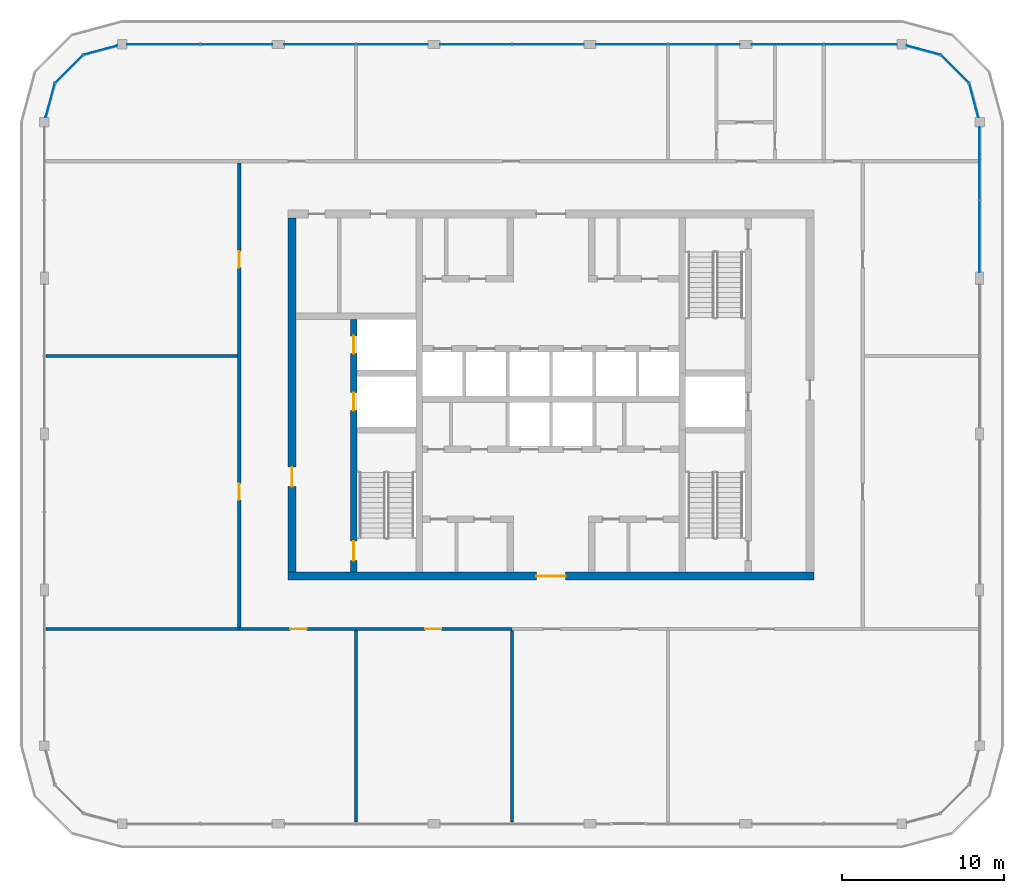
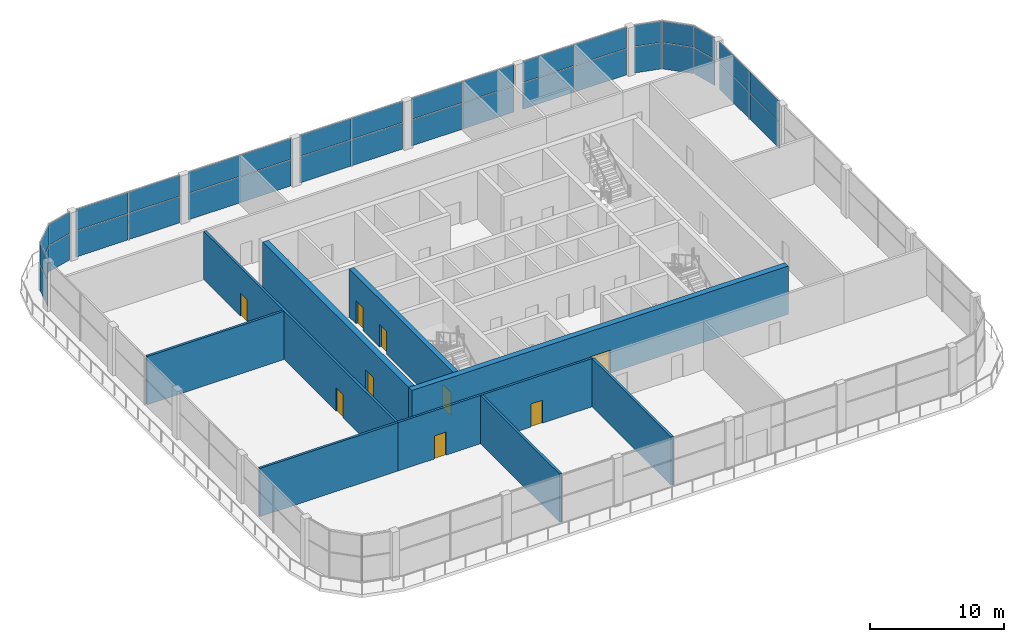
# One storey, part 9 of 15: 36 plates, 9 doors, 9 walls, 9 openings, 8 elements without a shape of their own.
"""IFC4 building model written with IfcOpenShell, lengths in metres."""

from ifc_helpers import new_model, si_unit, direction, frame, frame_2d, origin, origin_2d, place, context, subcontext, project, spatial, rectangle, extrude, material, layer, layer_set, type_object, element, fill, aggregate, save


model = new_model("IFC4")

# Units and contexts
model_context = context("Model", 3, precision=1e-05, world=origin(), true_north=direction((0.0, 1.0)))
body_context = subcontext(model_context, "Body", "Model", "MODEL_VIEW")
ifc_project = project(units=[si_unit("LENGTHUNIT", "METRE"), si_unit("AREAUNIT", "SQUARE_METRE"), si_unit("VOLUMEUNIT", "CUBIC_METRE"), si_unit("PLANEANGLEUNIT", "RADIAN"), si_unit("MASSUNIT", "GRAM", prefix="KILO")], contexts=[model_context])

# Site, building, storey
site_placement = place(None, origin())
site = spatial("IfcSite", under=ifc_project, at=site_placement, CompositionType="ELEMENT")
building_placement = place(site_placement, origin())
building = spatial("IfcBuilding", under=site, at=building_placement, Name="Madar Terraces", CompositionType="ELEMENT")
storey_placement = place(building_placement, frame((0.0, 0.0, 291.5)))
storey = spatial("IfcBuildingStorey", under=building, at=storey_placement, Name="L76", CompositionType="ELEMENT", Elevation=291.5)

# Curtain wall, plates
ifc_material_1 = material(Name="Glass, clear low-iron, with black aluminium frame", Category="aluminium")
ifc_layer_1 = layer(ifc_material_1, 0.199951171875)
ifc_layer_set_1 = layer_set([ifc_layer_1], Name="Facade curtain wall, observation glazing")
curtain_wall_type = type_object("IfcCurtainWallType", Name="Facade curtain wall, observation glazing", PredefinedType="NOTDEFINED", material=ifc_layer_set_1)
curtain_wall_1_placement = place(storey_placement, origin())
curtain_wall_1 = element("IfcCurtainWall", 1, at=curtain_wall_1_placement, inside=storey, type_object=curtain_wall_type, Name="Outer skin curtain wall east bay 4", PredefinedType="NOTDEFINED")
ifc_material_2 = material(Name="Glass, ceramic frit dark grey", Category="glass")
ifc_layer_2 = layer(ifc_material_2, 0.028076171875)
ifc_layer_set_2 = layer_set([ifc_layer_2], Name="Facade glass panel 28")
plate_type = type_object("IfcPlateType", Name="Facade glass panel 28", PredefinedType="CURTAIN_PANEL", material=ifc_layer_set_2)
plate_1_placement = place(storey_placement, frame((57.60009765625, 36.172607421875, 0.0), z_axis=(0.0, 0.0, 1.0), x_axis=(0.0, 1.0, 0.0)))
plate_1 = element("IfcPlate", 2, at=plate_1_placement, type_object=plate_type, Name="Panel 1", PredefinedType="CURTAIN_PANEL", context=body_context, shape_type="SweptSolid", body=[
    extrude(rectangle(XDim=4.39501953125, YDim=0.028076171875, at=origin_2d()), origin(), (0.0, 0.0, 1.0), 2.3701171875),
])
plate_2_placement = place(storey_placement, frame((57.60009765625, 36.172607421875, 2.43017578125), z_axis=(0.0, 0.0, 1.0), x_axis=(0.0, 1.0, 0.0)))
plate_2 = element("IfcPlate", 3, at=plate_2_placement, type_object=plate_type, Name="Panel 2", PredefinedType="CURTAIN_PANEL", context=body_context, shape_type="SweptSolid", body=[
    extrude(rectangle(XDim=4.39501953125, YDim=0.028076171875, at=origin_2d()), origin(), (0.0, 0.0, 1.0), 1.909912109375),
])
plate_3_placement = place(storey_placement, frame((57.60009765625, 40.6650390625, 0.0), z_axis=(0.0, 0.0, 1.0), x_axis=(0.0, 1.0, 0.0)))
plate_3 = element("IfcPlate", 4, at=plate_3_placement, type_object=plate_type, Name="Panel 3", PredefinedType="CURTAIN_PANEL", context=body_context, shape_type="SweptSolid", body=[
    extrude(rectangle(XDim=4.469970703125, YDim=0.028076171875, at=origin_2d()), origin(), (0.0, 0.0, 1.0), 2.3701171875),
])
plate_4_placement = place(storey_placement, frame((57.60009765625, 40.6650390625, 2.43017578125), z_axis=(0.0, 0.0, 1.0), x_axis=(0.0, 1.0, 0.0)))
plate_4 = element("IfcPlate", 5, at=plate_4_placement, type_object=plate_type, Name="Panel 4", PredefinedType="CURTAIN_PANEL", context=body_context, shape_type="SweptSolid", body=[
    extrude(rectangle(XDim=4.469970703125, YDim=0.028076171875, at=origin_2d()), origin(), (0.0, 0.0, 1.0), 1.909912109375),
])
aggregate(curtain_wall_1, [plate_1, plate_2, plate_3, plate_4])

curtain_wall_2_placement = place(storey_placement, origin())
curtain_wall_2 = element("IfcCurtainWall", 6, at=curtain_wall_2_placement, inside=storey, type_object=curtain_wall_type, Name="Outer skin curtain wall north bay 1", PredefinedType="NOTDEFINED")
plate_5_placement = place(storey_placement, frame((50.264892578125, 48.0, 0.0), z_axis=(0.0, 0.0, 1.0), x_axis=(-1.0, 0.0, 0.0)))
plate_5 = element("IfcPlate", 7, at=plate_5_placement, type_object=plate_type, Name="Panel 1", PredefinedType="CURTAIN_PANEL", context=body_context, shape_type="SweptSolid", body=[
    extrude(rectangle(XDim=4.469970703125, YDim=0.028076171875, at=origin_2d()), origin(), (0.0, 0.0, 1.0), 2.3701171875),
])
plate_6_placement = place(storey_placement, frame((50.264892578125, 48.0, 2.43017578125), z_axis=(0.0, 0.0, 1.0), x_axis=(-1.0, 0.0, 0.0)))
plate_6 = element("IfcPlate", 8, at=plate_6_placement, type_object=plate_type, Name="Panel 2", PredefinedType="CURTAIN_PANEL", context=body_context, shape_type="SweptSolid", body=[
    extrude(rectangle(XDim=4.469970703125, YDim=0.028076171875, at=origin_2d()), origin(), (0.0, 0.0, 1.0), 1.909912109375),
])
plate_7_placement = place(storey_placement, frame((45.7724609375, 48.0, 0.0), z_axis=(0.0, 0.0, 1.0), x_axis=(-1.0, 0.0, 0.0)))
plate_7 = element("IfcPlate", 9, at=plate_7_placement, type_object=plate_type, Name="Panel 3", PredefinedType="CURTAIN_PANEL", context=body_context, shape_type="SweptSolid", body=[
    extrude(rectangle(XDim=4.39501953125, YDim=0.028076171875, at=origin_2d()), origin(), (0.0, 0.0, 1.0), 2.3701171875),
])
plate_8_placement = place(storey_placement, frame((45.7724609375, 48.0, 2.43017578125), z_axis=(0.0, 0.0, 1.0), x_axis=(-1.0, 0.0, 0.0)))
plate_8 = element("IfcPlate", 10, at=plate_8_placement, type_object=plate_type, Name="Panel 4", PredefinedType="CURTAIN_PANEL", context=body_context, shape_type="SweptSolid", body=[
    extrude(rectangle(XDim=4.39501953125, YDim=0.028076171875, at=origin_2d()), origin(), (0.0, 0.0, 1.0), 1.909912109375),
])
aggregate(curtain_wall_2, [plate_5, plate_6, plate_7, plate_8])

curtain_wall_3_placement = place(storey_placement, origin())
curtain_wall_3 = element("IfcCurtainWall", 11, at=curtain_wall_3_placement, inside=storey, type_object=curtain_wall_type, Name="Outer skin curtain wall north bay 2", PredefinedType="NOTDEFINED")
plate_9_placement = place(storey_placement, frame((40.62744140625, 48.0, 0.0), z_axis=(0.0, 0.0, 1.0), x_axis=(-1.0, 0.0, 0.0)))
plate_9 = element("IfcPlate", 12, at=plate_9_placement, type_object=plate_type, Name="Panel 1", PredefinedType="CURTAIN_PANEL", context=body_context, shape_type="SweptSolid", body=[
    extrude(rectangle(XDim=4.39501953125, YDim=0.028076171875, at=origin_2d()), origin(), (0.0, 0.0, 1.0), 2.3701171875),
])
plate_10_placement = place(storey_placement, frame((40.62744140625, 48.0, 2.43017578125), z_axis=(0.0, 0.0, 1.0), x_axis=(-1.0, 0.0, 0.0)))
plate_10 = element("IfcPlate", 13, at=plate_10_placement, type_object=plate_type, Name="Panel 2", PredefinedType="CURTAIN_PANEL", context=body_context, shape_type="SweptSolid", body=[
    extrude(rectangle(XDim=4.39501953125, YDim=0.028076171875, at=origin_2d()), origin(), (0.0, 0.0, 1.0), 1.909912109375),
])
plate_11_placement = place(storey_placement, frame((36.172607421875, 48.0, 0.0), z_axis=(0.0, 0.0, 1.0), x_axis=(-1.0, 0.0, 0.0)))
plate_11 = element("IfcPlate", 14, at=plate_11_placement, type_object=plate_type, Name="Panel 3", PredefinedType="CURTAIN_PANEL", context=body_context, shape_type="SweptSolid", body=[
    extrude(rectangle(XDim=4.39501953125, YDim=0.028076171875, at=origin_2d()), origin(), (0.0, 0.0, 1.0), 2.3701171875),
])
plate_12_placement = place(storey_placement, frame((36.172607421875, 48.0, 2.43017578125), z_axis=(0.0, 0.0, 1.0), x_axis=(-1.0, 0.0, 0.0)))
plate_12 = element("IfcPlate", 15, at=plate_12_placement, type_object=plate_type, Name="Panel 4", PredefinedType="CURTAIN_PANEL", context=body_context, shape_type="SweptSolid", body=[
    extrude(rectangle(XDim=4.39501953125, YDim=0.028076171875, at=origin_2d()), origin(), (0.0, 0.0, 1.0), 1.909912109375),
])
aggregate(curtain_wall_3, [plate_9, plate_10, plate_11, plate_12])

curtain_wall_4_placement = place(storey_placement, origin())
curtain_wall_4 = element("IfcCurtainWall", 16, at=curtain_wall_4_placement, inside=storey, type_object=curtain_wall_type, Name="Outer skin curtain wall north bay 3", PredefinedType="NOTDEFINED")
plate_13_placement = place(storey_placement, frame((31.027587890625, 48.0, 0.0), z_axis=(0.0, 0.0, 1.0), x_axis=(-1.0, 0.0, 0.0)))
plate_13 = element("IfcPlate", 17, at=plate_13_placement, type_object=plate_type, Name="Panel 1", PredefinedType="CURTAIN_PANEL", context=body_context, shape_type="SweptSolid", body=[
    extrude(rectangle(XDim=4.39501953125, YDim=0.028076171875, at=origin_2d()), origin(), (0.0, 0.0, 1.0), 2.3701171875),
])
plate_14_placement = place(storey_placement, frame((31.027587890625, 48.0, 2.43017578125), z_axis=(0.0, 0.0, 1.0), x_axis=(-1.0, 0.0, 0.0)))
plate_14 = element("IfcPlate", 18, at=plate_14_placement, type_object=plate_type, Name="Panel 2", PredefinedType="CURTAIN_PANEL", context=body_context, shape_type="SweptSolid", body=[
    extrude(rectangle(XDim=4.39501953125, YDim=0.028076171875, at=origin_2d()), origin(), (0.0, 0.0, 1.0), 1.909912109375),
])
plate_15_placement = place(storey_placement, frame((26.572509765625, 48.0, 0.0), z_axis=(0.0, 0.0, 1.0), x_axis=(-1.0, 0.0, 0.0)))
plate_15 = element("IfcPlate", 19, at=plate_15_placement, type_object=plate_type, Name="Panel 3", PredefinedType="CURTAIN_PANEL", context=body_context, shape_type="SweptSolid", body=[
    extrude(rectangle(XDim=4.39501953125, YDim=0.028076171875, at=origin_2d()), origin(), (0.0, 0.0, 1.0), 2.3701171875),
])
plate_16_placement = place(storey_placement, frame((26.572509765625, 48.0, 2.43017578125), z_axis=(0.0, 0.0, 1.0), x_axis=(-1.0, 0.0, 0.0)))
plate_16 = element("IfcPlate", 20, at=plate_16_placement, type_object=plate_type, Name="Panel 4", PredefinedType="CURTAIN_PANEL", context=body_context, shape_type="SweptSolid", body=[
    extrude(rectangle(XDim=4.39501953125, YDim=0.028076171875, at=origin_2d()), origin(), (0.0, 0.0, 1.0), 1.909912109375),
])
aggregate(curtain_wall_4, [plate_13, plate_14, plate_15, plate_16])

curtain_wall_5_placement = place(storey_placement, origin())
curtain_wall_5 = element("IfcCurtainWall", 21, at=curtain_wall_5_placement, inside=storey, type_object=curtain_wall_type, Name="Outer skin curtain wall north bay 4", PredefinedType="NOTDEFINED")
plate_17_placement = place(storey_placement, frame((21.427490234375, 48.0, 0.0), z_axis=(0.0, 0.0, 1.0), x_axis=(-1.0, 0.0, 0.0)))
plate_17 = element("IfcPlate", 22, at=plate_17_placement, type_object=plate_type, Name="Panel 1", PredefinedType="CURTAIN_PANEL", context=body_context, shape_type="SweptSolid", body=[
    extrude(rectangle(XDim=4.39501953125, YDim=0.028076171875, at=origin_2d()), origin(), (0.0, 0.0, 1.0), 2.3701171875),
])
plate_18_placement = place(storey_placement, frame((21.427490234375, 48.0, 2.43017578125), z_axis=(0.0, 0.0, 1.0), x_axis=(-1.0, 0.0, 0.0)))
plate_18 = element("IfcPlate", 23, at=plate_18_placement, type_object=plate_type, Name="Panel 2", PredefinedType="CURTAIN_PANEL", context=body_context, shape_type="SweptSolid", body=[
    extrude(rectangle(XDim=4.39501953125, YDim=0.028076171875, at=origin_2d()), origin(), (0.0, 0.0, 1.0), 1.909912109375),
])
plate_19_placement = place(storey_placement, frame((16.972412109375, 48.0, 0.0), z_axis=(0.0, 0.0, 1.0), x_axis=(-1.0, 0.0, 0.0)))
plate_19 = element("IfcPlate", 24, at=plate_19_placement, type_object=plate_type, Name="Panel 3", PredefinedType="CURTAIN_PANEL", context=body_context, shape_type="SweptSolid", body=[
    extrude(rectangle(XDim=4.39501953125, YDim=0.028076171875, at=origin_2d()), origin(), (0.0, 0.0, 1.0), 2.3701171875),
])
plate_20_placement = place(storey_placement, frame((16.972412109375, 48.0, 2.43017578125), z_axis=(0.0, 0.0, 1.0), x_axis=(-1.0, 0.0, 0.0)))
plate_20 = element("IfcPlate", 25, at=plate_20_placement, type_object=plate_type, Name="Panel 4", PredefinedType="CURTAIN_PANEL", context=body_context, shape_type="SweptSolid", body=[
    extrude(rectangle(XDim=4.39501953125, YDim=0.028076171875, at=origin_2d()), origin(), (0.0, 0.0, 1.0), 1.909912109375),
])
aggregate(curtain_wall_5, [plate_17, plate_18, plate_19, plate_20])

curtain_wall_6_placement = place(storey_placement, origin())
curtain_wall_6 = element("IfcCurtainWall", 26, at=curtain_wall_6_placement, inside=storey, type_object=curtain_wall_type, Name="Outer skin curtain wall north bay 5", PredefinedType="NOTDEFINED")
plate_21_placement = place(storey_placement, frame((11.827392578125, 48.0, 0.0), z_axis=(0.0, 0.0, 1.0), x_axis=(-1.0, 0.0, 0.0)))
plate_21 = element("IfcPlate", 27, at=plate_21_placement, type_object=plate_type, Name="Panel 1", PredefinedType="CURTAIN_PANEL", context=body_context, shape_type="SweptSolid", body=[
    extrude(rectangle(XDim=4.39501953125, YDim=0.028076171875, at=origin_2d()), origin(), (0.0, 0.0, 1.0), 2.3701171875),
])
plate_22_placement = place(storey_placement, frame((11.827392578125, 48.0, 2.43017578125), z_axis=(0.0, 0.0, 1.0), x_axis=(-1.0, 0.0, 0.0)))
plate_22 = element("IfcPlate", 28, at=plate_22_placement, type_object=plate_type, Name="Panel 2", PredefinedType="CURTAIN_PANEL", context=body_context, shape_type="SweptSolid", body=[
    extrude(rectangle(XDim=4.39501953125, YDim=0.028076171875, at=origin_2d()), origin(), (0.0, 0.0, 1.0), 1.909912109375),
])
plate_23_placement = place(storey_placement, frame((7.3349609375, 48.0, 0.0), z_axis=(0.0, 0.0, 1.0), x_axis=(-1.0, 0.0, 0.0)))
plate_23 = element("IfcPlate", 29, at=plate_23_placement, type_object=plate_type, Name="Panel 3", PredefinedType="CURTAIN_PANEL", context=body_context, shape_type="SweptSolid", body=[
    extrude(rectangle(XDim=4.469970703125, YDim=0.028076171875, at=origin_2d()), origin(), (0.0, 0.0, 1.0), 2.3701171875),
])
plate_24_placement = place(storey_placement, frame((7.3349609375, 48.0, 2.43017578125), z_axis=(0.0, 0.0, 1.0), x_axis=(-1.0, 0.0, 0.0)))
plate_24 = element("IfcPlate", 30, at=plate_24_placement, type_object=plate_type, Name="Panel 4", PredefinedType="CURTAIN_PANEL", context=body_context, shape_type="SweptSolid", body=[
    extrude(rectangle(XDim=4.469970703125, YDim=0.028076171875, at=origin_2d()), origin(), (0.0, 0.0, 1.0), 1.909912109375),
])
aggregate(curtain_wall_6, [plate_21, plate_22, plate_23, plate_24])

curtain_wall_7_placement = place(storey_placement, origin())
curtain_wall_7 = element("IfcCurtainWall", 31, at=curtain_wall_7_placement, inside=storey, type_object=curtain_wall_type, Name="Outer skin curtain wall north-east corner", PredefinedType="NOTDEFINED")
plate_25_placement = place(storey_placement, frame((57.2421875, 44.535400390625, 0.0), z_axis=(0.0, 0.0, 1.0), x_axis=(-0.258819021888, 0.965925832509, 0.0)))
plate_25 = element("IfcPlate", 32, at=plate_25_placement, type_object=plate_type, Name="Panel 1", PredefinedType="CURTAIN_PANEL", context=body_context, shape_type="SweptSolid", body=[
    extrude(rectangle(XDim=2.14404296875, YDim=0.028076171875, at=origin_2d()), origin(), (0.0, 0.0, 1.0), 2.3701171875),
])
plate_26_placement = place(storey_placement, frame((57.2421875, 44.535400390625, 2.43017578125), z_axis=(0.0, 0.0, 1.0), x_axis=(-0.258819021888, 0.965925832509, 0.0)))
plate_26 = element("IfcPlate", 33, at=plate_26_placement, type_object=plate_type, Name="Panel 2", PredefinedType="CURTAIN_PANEL", context=body_context, shape_type="SweptSolid", body=[
    extrude(rectangle(XDim=2.14404296875, YDim=0.028076171875, at=origin_2d()), origin(), (0.0, 0.0, 1.0), 1.909912109375),
])
plate_27_placement = place(storey_placement, frame((56.078369140625, 46.478515625, 0.0), z_axis=(0.0, 0.0, 1.0), x_axis=(-0.707106781187, 0.707106781187, 0.0)))
plate_27 = element("IfcPlate", 34, at=plate_27_placement, type_object=plate_type, Name="Panel 3", PredefinedType="CURTAIN_PANEL", context=body_context, shape_type="SweptSolid", body=[
    extrude(rectangle(XDim=2.424560546875, YDim=0.028076171875, at=origin_2d()), origin(), (0.0, 0.0, 1.0), 2.3701171875),
])
plate_28_placement = place(storey_placement, frame((56.078369140625, 46.478515625, 2.43017578125), z_axis=(0.0, 0.0, 1.0), x_axis=(-0.707106781187, 0.707106781187, 0.0)))
plate_28 = element("IfcPlate", 35, at=plate_28_placement, type_object=plate_type, Name="Panel 4", PredefinedType="CURTAIN_PANEL", context=body_context, shape_type="SweptSolid", body=[
    extrude(rectangle(XDim=2.424560546875, YDim=0.028076171875, at=origin_2d()), origin(), (0.0, 0.0, 1.0), 1.909912109375),
])
plate_29_placement = place(storey_placement, frame((54.135498046875, 47.64208984375, 0.0), z_axis=(0.0, 0.0, 1.0), x_axis=(-0.965925832509, 0.258819021888, 0.0)))
plate_29 = element("IfcPlate", 36, at=plate_29_placement, type_object=plate_type, Name="Panel 5", PredefinedType="CURTAIN_PANEL", context=body_context, shape_type="SweptSolid", body=[
    extrude(rectangle(XDim=2.14404296875, YDim=0.028076171875, at=origin_2d()), origin(), (0.0, 0.0, 1.0), 2.3701171875),
])
plate_30_placement = place(storey_placement, frame((54.135498046875, 47.64208984375, 2.43017578125), z_axis=(0.0, 0.0, 1.0), x_axis=(-0.965925832509, 0.258819021888, 0.0)))
plate_30 = element("IfcPlate", 37, at=plate_30_placement, type_object=plate_type, Name="Panel 6", PredefinedType="CURTAIN_PANEL", context=body_context, shape_type="SweptSolid", body=[
    extrude(rectangle(XDim=2.14404296875, YDim=0.028076171875, at=origin_2d()), origin(), (0.0, 0.0, 1.0), 1.909912109375),
])
aggregate(curtain_wall_7, [plate_25, plate_26, plate_27, plate_28, plate_29, plate_30])

curtain_wall_8_placement = place(storey_placement, origin())
curtain_wall_8 = element("IfcCurtainWall", 38, at=curtain_wall_8_placement, inside=storey, type_object=curtain_wall_type, Name="Outer skin curtain wall north-west corner", PredefinedType="NOTDEFINED")
plate_31_placement = place(storey_placement, frame((3.464599609375, 47.64208984375, 0.0), z_axis=(0.0, 0.0, 1.0), x_axis=(-0.965925832509, -0.258819021888, 0.0)))
plate_31 = element("IfcPlate", 39, at=plate_31_placement, type_object=plate_type, Name="Panel 1", PredefinedType="CURTAIN_PANEL", context=body_context, shape_type="SweptSolid", body=[
    extrude(rectangle(XDim=2.14404296875, YDim=0.028076171875, at=origin_2d()), origin(), (0.0, 0.0, 1.0), 2.3701171875),
])
plate_32_placement = place(storey_placement, frame((3.464599609375, 47.64208984375, 2.43017578125), z_axis=(0.0, 0.0, 1.0), x_axis=(-0.965925832509, -0.258819021888, 0.0)))
plate_32 = element("IfcPlate", 40, at=plate_32_placement, type_object=plate_type, Name="Panel 2", PredefinedType="CURTAIN_PANEL", context=body_context, shape_type="SweptSolid", body=[
    extrude(rectangle(XDim=2.14404296875, YDim=0.028076171875, at=origin_2d()), origin(), (0.0, 0.0, 1.0), 1.909912109375),
])
plate_33_placement = place(storey_placement, frame((1.521484375, 46.478515625, 0.0), z_axis=(0.0, 0.0, 1.0), x_axis=(-0.707106781187, -0.707106781187, 0.0)))
plate_33 = element("IfcPlate", 41, at=plate_33_placement, type_object=plate_type, Name="Panel 3", PredefinedType="CURTAIN_PANEL", context=body_context, shape_type="SweptSolid", body=[
    extrude(rectangle(XDim=2.424560546875, YDim=0.028076171875, at=origin_2d()), origin(), (0.0, 0.0, 1.0), 2.3701171875),
])
plate_34_placement = place(storey_placement, frame((1.521484375, 46.478515625, 2.43017578125), z_axis=(0.0, 0.0, 1.0), x_axis=(-0.707106781187, -0.707106781187, 0.0)))
plate_34 = element("IfcPlate", 42, at=plate_34_placement, type_object=plate_type, Name="Panel 4", PredefinedType="CURTAIN_PANEL", context=body_context, shape_type="SweptSolid", body=[
    extrude(rectangle(XDim=2.424560546875, YDim=0.028076171875, at=origin_2d()), origin(), (0.0, 0.0, 1.0), 1.909912109375),
])
plate_35_placement = place(storey_placement, frame((0.35791015625, 44.535400390625, 0.0), z_axis=(0.0, 0.0, 1.0), x_axis=(-0.258819021888, -0.965925832509, 0.0)))
plate_35 = element("IfcPlate", 43, at=plate_35_placement, type_object=plate_type, Name="Panel 5", PredefinedType="CURTAIN_PANEL", context=body_context, shape_type="SweptSolid", body=[
    extrude(rectangle(XDim=2.14404296875, YDim=0.028076171875, at=origin_2d()), origin(), (0.0, 0.0, 1.0), 2.3701171875),
])
plate_36_placement = place(storey_placement, frame((0.35791015625, 44.535400390625, 2.43017578125), z_axis=(0.0, 0.0, 1.0), x_axis=(-0.258819021888, -0.965925832509, 0.0)))
plate_36 = element("IfcPlate", 44, at=plate_36_placement, type_object=plate_type, Name="Panel 6", PredefinedType="CURTAIN_PANEL", context=body_context, shape_type="SweptSolid", body=[
    extrude(rectangle(XDim=2.14404296875, YDim=0.028076171875, at=origin_2d()), origin(), (0.0, 0.0, 1.0), 1.909912109375),
])
aggregate(curtain_wall_8, [plate_31, plate_32, plate_33, plate_34, plate_35, plate_36])

# Wall, openings, doors
ifc_material_3 = material(Name="Concrete C50/60", Category="concrete")
ifc_layer_3 = layer(ifc_material_3, 0.39990234375)
ifc_layer_set_3 = layer_set([ifc_layer_3], Name="Concrete C50/60 (CIW6 RC wall 400)")
wall_type_1 = type_object("IfcWallType", Name="CIW6 RC wall 400", PredefinedType="SHEAR", material=ifc_layer_set_3)
wall_1_placement = place(storey_placement, frame((19.050048828125, 15.5, 0.0), z_axis=(0.0, 0.0, 1.0), x_axis=(0.0, 1.0, 0.0)))
wall_1 = element("IfcWall", 45, at=wall_1_placement, inside=storey, type_object=wall_type_1, Name="CORE SHAFT WALL", PredefinedType="SHEAR", context=body_context, shape_type="SweptSolid", body=[
    extrude(rectangle(XDim=15.550048828125, YDim=0.39990234375, at=frame_2d((7.77490234375, 0.0))), origin(), (0.0, 0.0, 1.0), 4.39990234375),
])
opening_1_placement = place(wall_1_placement, frame((9.949951171875, 0.0, 0.0)))
opening_1 = element("IfcOpeningElement", 46, at=opening_1_placement, cuts=wall_1, Name="Opening LD", PredefinedType="OPENING", context=body_context, shape_type="SweptSolid", body=[
    extrude(rectangle(XDim=1.10009765625, YDim=2.10009765625, at=frame_2d((0.550048828125, 1.050048828125))), frame((0.0, 0.2099609375, 0.0), z_axis=(0.0, -1.0, 0.0), x_axis=(1.0, 0.0, 0.0)), (0.0, 0.0, 1.0), 0.419921875),
])
opening_2_placement = place(wall_1_placement, frame((13.449951171875, 0.0, 0.0)))
opening_2 = element("IfcOpeningElement", 47, at=opening_2_placement, cuts=wall_1, Name="Opening LD", PredefinedType="OPENING", context=body_context, shape_type="SweptSolid", body=[
    extrude(rectangle(XDim=1.10009765625, YDim=2.10009765625, at=frame_2d((0.550048828125, 1.050048828125))), frame((0.0, 0.2099609375, 0.0), z_axis=(0.0, -1.0, 0.0), x_axis=(1.0, 0.0, 0.0)), (0.0, 0.0, 1.0), 0.419921875),
])
opening_3_placement = place(wall_1_placement, frame((0.699951171875, 0.0, 0.0)))
opening_3 = element("IfcOpeningElement", 48, at=opening_3_placement, cuts=wall_1, Name="Opening SD1", PredefinedType="OPENING", context=body_context, shape_type="SweptSolid", body=[
    extrude(rectangle(XDim=1.199951171875, YDim=2.10009765625, at=frame_2d((0.60009765625, 1.050048828125))), frame((0.0, 0.2099609375, 0.0), z_axis=(0.0, -1.0, 0.0), x_axis=(1.0, 0.0, 0.0)), (0.0, 0.0, 1.0), 0.419921875),
])
ifc_material_4 = material(Name="Stainless steel panel", Category="steel")
door_type_1 = type_object("IfcDoorType", Name="Lift landing door 1100 x 2100", OperationType="DOUBLE_DOOR_SLIDING", PredefinedType="DOOR", material=ifc_material_4)
door_1_placement = place(opening_1_placement, origin())
door_1 = element("IfcDoor", 49, at=door_1_placement, inside=storey, type_object=door_type_1, Name="LIFT LANDING DOOR", OperationType="DOUBLE_DOOR_SLIDING", OverallHeight=2.10009765625, OverallWidth=1.10009765625, PredefinedType="DOOR", context=body_context, shape_type="SweptSolid", body=[
    extrude(rectangle(XDim=1.10009765625, YDim=2.10009765625, at=frame_2d((0.550048828125, 1.050048828125))), frame((0.0, 0.02490234375, 0.0), z_axis=(0.0, -1.0, 0.0), x_axis=(1.0, 0.0, 0.0)), (0.0, 0.0, 1.0), 0.050048828125),
])
fill(opening_1, door_1)
door_2_placement = place(opening_2_placement, origin())
door_2 = element("IfcDoor", 50, at=door_2_placement, inside=storey, type_object=door_type_1, Name="LIFT LANDING DOOR", OperationType="DOUBLE_DOOR_SLIDING", OverallHeight=2.10009765625, OverallWidth=1.10009765625, PredefinedType="DOOR", context=body_context, shape_type="SweptSolid", body=[
    extrude(rectangle(XDim=1.10009765625, YDim=2.10009765625, at=frame_2d((0.550048828125, 1.050048828125))), frame((0.0, 0.02490234375, 0.0), z_axis=(0.0, -1.0, 0.0), x_axis=(1.0, 0.0, 0.0)), (0.0, 0.0, 1.0), 0.050048828125),
])
fill(opening_2, door_2)
ifc_material_5 = material(Name="Steel door leaf", Category="steel")
door_type_2 = type_object("IfcDoorType", Name="Stair door 1200 x 2100", OperationType="NOTDEFINED", PredefinedType="DOOR", material=ifc_material_5)
door_3_placement = place(opening_3_placement, frame((1.199951171875, 0.0, 0.0), z_axis=(0.0, 0.0, 1.0), x_axis=(-1.0, 0.0, 0.0)))
door_3 = element("IfcDoor", 51, at=door_3_placement, inside=storey, type_object=door_type_2, Name="STAIR DOOR", OperationType="SINGLE_SWING_RIGHT", OverallHeight=2.10009765625, OverallWidth=1.199951171875, PredefinedType="DOOR", context=body_context, shape_type="SweptSolid", body=[
    extrude(rectangle(XDim=1.199951171875, YDim=2.10009765625, at=frame_2d((0.60009765625, 1.050048828125))), frame((0.0, 0.02490234375, 0.0), z_axis=(0.0, -1.0, 0.0), x_axis=(1.0, 0.0, 0.0)), (0.0, 0.0, 1.0), 0.050048828125),
])
fill(opening_3, door_3)

# Wall, opening, door
ifc_material_6 = material(Name="Concrete C50/60", Category="concrete")
ifc_layer_4 = layer(ifc_material_6, 0.5)
ifc_layer_set_4 = layer_set([ifc_layer_4], Name="Concrete C50/60 (CRW6 RC wall 500)")
wall_type_2 = type_object("IfcWallType", Name="CRW6 RC wall 500", PredefinedType="SHEAR", material=ifc_layer_set_4)
wall_2_placement = place(storey_placement, frame((15.0, 15.25, 0.0), z_axis=(0.0, 0.0, 1.0), x_axis=(1.0, 0.0, 0.0)))
wall_2 = element("IfcWall", 52, at=wall_2_placement, inside=storey, type_object=wall_type_2, Name="CORE OUTER WALL", PredefinedType="SHEAR", context=body_context, shape_type="SweptSolid", body=[
    extrude(rectangle(XDim=32.39990234375, YDim=0.5, at=frame_2d((16.199951171875, 0.0))), origin(), (0.0, 0.0, 1.0), 4.39990234375),
])
opening_4_placement = place(wall_2_placement, frame((15.300048828125, 0.0, 0.0)))
opening_4 = element("IfcOpeningElement", 53, at=opening_4_placement, cuts=wall_2, Name="Opening KD1", PredefinedType="OPENING", context=body_context, shape_type="SweptSolid", body=[
    extrude(rectangle(XDim=1.800048828125, YDim=2.10009765625, at=frame_2d((0.89990234375, 1.050048828125))), frame((0.0, 0.260009765625, 0.0), z_axis=(0.0, -1.0, 0.0), x_axis=(1.0, 0.0, 0.0)), (0.0, 0.0, 1.0), 0.52001953125),
])
ifc_material_7 = material(Name="Steel door leaf", Category="steel")
door_type_3 = type_object("IfcDoorType", Name="Lobby door pair 1800 x 2100", OperationType="DOUBLE_DOOR_SINGLE_SWING", PredefinedType="DOOR", material=ifc_material_7)
door_4_placement = place(opening_4_placement, frame((1.800048828125, 0.0, 0.0), z_axis=(0.0, 0.0, 1.0), x_axis=(-1.0, 0.0, 0.0)))
door_4 = element("IfcDoor", 54, at=door_4_placement, inside=storey, type_object=door_type_3, Name="LIFT LOBBY DOOR", OperationType="DOUBLE_DOOR_SINGLE_SWING", OverallHeight=2.10009765625, OverallWidth=1.800048828125, PredefinedType="DOOR", context=body_context, shape_type="SweptSolid", body=[
    extrude(rectangle(XDim=1.800048828125, YDim=2.10009765625, at=frame_2d((0.89990234375, 1.050048828125))), frame((0.0, 0.02490234375, 0.0), z_axis=(0.0, -1.0, 0.0), x_axis=(1.0, 0.0, 0.0)), (0.0, 0.0, 1.0), 0.050048828125),
])
fill(opening_4, door_4)

wall_3_placement = place(storey_placement, frame((15.25, 15.5, 0.0), z_axis=(0.0, 0.0, 1.0), x_axis=(0.0, 1.0, 0.0)))
wall_3 = element("IfcWall", 55, at=wall_3_placement, inside=storey, type_object=wall_type_2, Name="CORE OUTER WALL", PredefinedType="SHEAR", context=body_context, shape_type="SweptSolid", body=[
    extrude(rectangle(XDim=21.800048828125, YDim=0.5, at=frame_2d((10.89990234375, 0.0))), origin(), (0.0, 0.0, 1.0), 4.39990234375),
])
opening_5_placement = place(wall_3_placement, frame((5.260009765625, 0.0, 0.0)))
opening_5 = element("IfcOpeningElement", 56, at=opening_5_placement, cuts=wall_3, Name="Opening SD1", PredefinedType="OPENING", context=body_context, shape_type="SweptSolid", body=[
    extrude(rectangle(XDim=1.199951171875, YDim=2.10009765625, at=frame_2d((0.60009765625, 1.050048828125))), frame((0.0, 0.260009765625, 0.0), z_axis=(0.0, -1.0, 0.0), x_axis=(1.0, 0.0, 0.0)), (0.0, 0.0, 1.0), 0.52001953125),
])
door_5_placement = place(opening_5_placement, frame((1.199951171875, 0.0, 0.0), z_axis=(0.0, 0.0, 1.0), x_axis=(-1.0, 0.0, 0.0)))
door_5 = element("IfcDoor", 57, at=door_5_placement, inside=storey, type_object=door_type_2, Name="STAIR DOOR", OperationType="SINGLE_SWING_LEFT", OverallHeight=2.10009765625, OverallWidth=1.199951171875, PredefinedType="DOOR", context=body_context, shape_type="SweptSolid", body=[
    extrude(rectangle(XDim=1.199951171875, YDim=2.10009765625, at=frame_2d((0.60009765625, 1.050048828125))), frame((0.0, 0.02490234375, 0.0), z_axis=(0.0, -1.0, 0.0), x_axis=(1.0, 0.0, 0.0)), (0.0, 0.0, 1.0), 0.050048828125),
])
fill(opening_5, door_5)

# Wall
ifc_material_8 = material(Name="Gypsum board partition, fire-rated")
ifc_layer_5 = layer(ifc_material_8, 0.199951171875)
ifc_layer_set_5 = layer_set([ifc_layer_5], Name="Partition 200 EI 60")
wall_type_3 = type_object("IfcWallType", Name="Partition 200 EI 60", PredefinedType="PARTITIONING", material=ifc_layer_set_5)
wall_4_placement = place(storey_placement, frame((0.10009765625, 12.0, 0.0), z_axis=(0.0, 0.0, 1.0), x_axis=(1.0, 0.0, 0.0)))
element("IfcWall", 58, at=wall_4_placement, inside=storey, type_object=wall_type_3, Name="Wall OUTLOOK ROOM / OUTLOOK ROOM", PredefinedType="PARTITIONING", context=body_context, shape_type="SweptSolid", body=[
    extrude(rectangle(XDim=11.89990234375, YDim=0.199951171875, at=frame_2d((5.949951171875, 0.0))), origin(), (0.0, 0.0, 1.0), 4.39990234375),
])

# Wall, openings, doors
wall_5_placement = place(storey_placement, frame((28.800048828125, 12.0, 0.0), z_axis=(0.0, 0.0, 1.0), x_axis=(-1.0, 0.0, 0.0)))
wall_5 = element("IfcWall", 59, at=wall_5_placement, inside=storey, type_object=wall_type_3, Name="Wall OUTLOOK ROOM", PredefinedType="PARTITIONING", context=body_context, shape_type="SweptSolid", body=[
    extrude(rectangle(XDim=16.800048828125, YDim=0.199951171875, at=frame_2d((8.39990234375, 0.0))), origin(), (0.0, 0.0, 1.0), 4.39990234375),
])
opening_6_placement = place(wall_5_placement, frame((12.64990234375, 0.0, 0.0)))
opening_6 = element("IfcOpeningElement", 60, at=opening_6_placement, cuts=wall_5, Name="Opening D31", PredefinedType="OPENING", context=body_context, shape_type="SweptSolid", body=[
    extrude(rectangle(XDim=1.0, YDim=2.10009765625, at=frame_2d((0.5, 1.050048828125))), frame((0.0, 0.10986328125, 0.0), z_axis=(0.0, -1.0, 0.0), x_axis=(1.0, 0.0, 0.0)), (0.0, 0.0, 1.0), 0.219970703125),
])
opening_7_placement = place(wall_5_placement, frame((4.35009765625, 0.0, 0.0)))
opening_7 = element("IfcOpeningElement", 61, at=opening_7_placement, cuts=wall_5, Name="Opening D31", PredefinedType="OPENING", context=body_context, shape_type="SweptSolid", body=[
    extrude(rectangle(XDim=1.0, YDim=2.10009765625, at=frame_2d((0.5, 1.050048828125))), frame((0.0, 0.10986328125, 0.0), z_axis=(0.0, -1.0, 0.0), x_axis=(1.0, 0.0, 0.0)), (0.0, 0.0, 1.0), 0.219970703125),
])
ifc_material_9 = material(Name="Timber door leaf, fire-rated", Category="wood")
door_type_4 = type_object("IfcDoorType", Name="Podium door 1000 x 2100 FD30S", OperationType="NOTDEFINED", PredefinedType="DOOR", material=ifc_material_9)
door_6_placement = place(opening_6_placement, origin())
door_6 = element("IfcDoor", 62, at=door_6_placement, inside=storey, type_object=door_type_4, Name="Door OUTLOOK ROOM / RING CORRIDOR", OperationType="SINGLE_SWING_LEFT", OverallHeight=2.10009765625, OverallWidth=1.0, PredefinedType="DOOR", context=body_context, shape_type="SweptSolid", body=[
    extrude(rectangle(XDim=1.0, YDim=2.10009765625, at=frame_2d((0.5, 1.050048828125))), frame((0.0, 0.02490234375, 0.0), z_axis=(0.0, -1.0, 0.0), x_axis=(1.0, 0.0, 0.0)), (0.0, 0.0, 1.0), 0.050048828125),
])
fill(opening_6, door_6)
door_7_placement = place(opening_7_placement, origin())
door_7 = element("IfcDoor", 63, at=door_7_placement, inside=storey, type_object=door_type_4, Name="Door OUTLOOK ROOM / RING CORRIDOR", OperationType="SINGLE_SWING_RIGHT", OverallHeight=2.10009765625, OverallWidth=1.0, PredefinedType="DOOR", context=body_context, shape_type="SweptSolid", body=[
    extrude(rectangle(XDim=1.0, YDim=2.10009765625, at=frame_2d((0.5, 1.050048828125))), frame((0.0, 0.02490234375, 0.0), z_axis=(0.0, -1.0, 0.0), x_axis=(1.0, 0.0, 0.0)), (0.0, 0.0, 1.0), 0.050048828125),
])
fill(opening_7, door_7)

# Wall
wall_6_placement = place(storey_placement, frame((0.10009765625, 28.800048828125, 0.0), z_axis=(0.0, 0.0, 1.0), x_axis=(1.0, 0.0, 0.0)))
element("IfcWall", 64, at=wall_6_placement, inside=storey, type_object=wall_type_3, Name="Wall OUTLOOK ROOM / OUTLOOK ROOM", PredefinedType="PARTITIONING", context=body_context, shape_type="SweptSolid", body=[
    extrude(rectangle(XDim=11.7998046875, YDim=0.199951171875, at=frame_2d((5.89990234375, 0.0))), origin(), (0.0, 0.0, 1.0), 4.39990234375),
])

# Wall, openings, doors
wall_7_placement = place(storey_placement, frame((12.0, 12.10009765625, 0.0), z_axis=(0.0, 0.0, 1.0), x_axis=(0.0, 1.0, 0.0)))
wall_7 = element("IfcWall", 65, at=wall_7_placement, inside=storey, type_object=wall_type_3, Name="Wall OUTLOOK ROOM", PredefinedType="PARTITIONING", context=body_context, shape_type="SweptSolid", body=[
    extrude(rectangle(XDim=28.599853515625, YDim=0.199951171875, at=frame_2d((14.2998046875, 0.0))), origin(), (0.0, 0.0, 1.0), 4.39990234375),
])
opening_8_placement = place(wall_7_placement, frame((7.85009765625, 0.0, 0.0)))
opening_8 = element("IfcOpeningElement", 66, at=opening_8_placement, cuts=wall_7, Name="Opening D31", PredefinedType="OPENING", context=body_context, shape_type="SweptSolid", body=[
    extrude(rectangle(XDim=1.0, YDim=2.10009765625, at=frame_2d((0.5, 1.050048828125))), frame((0.0, 0.10986328125, 0.0), z_axis=(0.0, -1.0, 0.0), x_axis=(1.0, 0.0, 0.0)), (0.0, 0.0, 1.0), 0.219970703125),
])
opening_9_placement = place(wall_7_placement, frame((22.14990234375, 0.0, 0.0)))
opening_9 = element("IfcOpeningElement", 67, at=opening_9_placement, cuts=wall_7, Name="Opening D31", PredefinedType="OPENING", context=body_context, shape_type="SweptSolid", body=[
    extrude(rectangle(XDim=1.0, YDim=2.10009765625, at=frame_2d((0.5, 1.050048828125))), frame((0.0, 0.10986328125, 0.0), z_axis=(0.0, -1.0, 0.0), x_axis=(1.0, 0.0, 0.0)), (0.0, 0.0, 1.0), 0.219970703125),
])
door_8_placement = place(opening_8_placement, origin())
door_8 = element("IfcDoor", 68, at=door_8_placement, inside=storey, type_object=door_type_4, Name="Door OUTLOOK ROOM / RING CORRIDOR", OperationType="SINGLE_SWING_LEFT", OverallHeight=2.10009765625, OverallWidth=1.0, PredefinedType="DOOR", context=body_context, shape_type="SweptSolid", body=[
    extrude(rectangle(XDim=1.0, YDim=2.10009765625, at=frame_2d((0.5, 1.050048828125))), frame((0.0, 0.02490234375, 0.0), z_axis=(0.0, -1.0, 0.0), x_axis=(1.0, 0.0, 0.0)), (0.0, 0.0, 1.0), 0.050048828125),
])
fill(opening_8, door_8)
door_9_placement = place(opening_9_placement, origin())
door_9 = element("IfcDoor", 69, at=door_9_placement, inside=storey, type_object=door_type_4, Name="Door OUTLOOK ROOM / RING CORRIDOR", OperationType="SINGLE_SWING_RIGHT", OverallHeight=2.10009765625, OverallWidth=1.0, PredefinedType="DOOR", context=body_context, shape_type="SweptSolid", body=[
    extrude(rectangle(XDim=1.0, YDim=2.10009765625, at=frame_2d((0.5, 1.050048828125))), frame((0.0, 0.02490234375, 0.0), z_axis=(0.0, -1.0, 0.0), x_axis=(1.0, 0.0, 0.0)), (0.0, 0.0, 1.0), 0.050048828125),
])
fill(opening_9, door_9)

# Walls
for number, where, z_axis, x_axis, name in (
    (70, (19.199951171875, 0.10009765625, 0.0), (0.0, 0.0, 1.0), (0.0, 1.0, 0.0), "Wall OUTLOOK ROOM / OUTLOOK ROOM"),
    (71, (28.800048828125, 0.10009765625, 0.0), (0.0, 0.0, 1.0), (0.0, 1.0, 0.0), "Wall OUTLOOK ROOM / SKY DECK"),
):
    element("IfcWall", number, at=place(storey_placement, frame(where, z_axis=z_axis, x_axis=x_axis)), inside=storey, type_object=wall_type_3, Name=name, PredefinedType="PARTITIONING", context=body_context, shape_type="SweptSolid", body=[
        extrude(rectangle(XDim=11.7998046875, YDim=0.199951171875, at=frame_2d((5.89990234375, 0.0))), origin(), (0.0, 0.0, 1.0), 4.39990234375),
    ])

save(model, "model.ifc")
